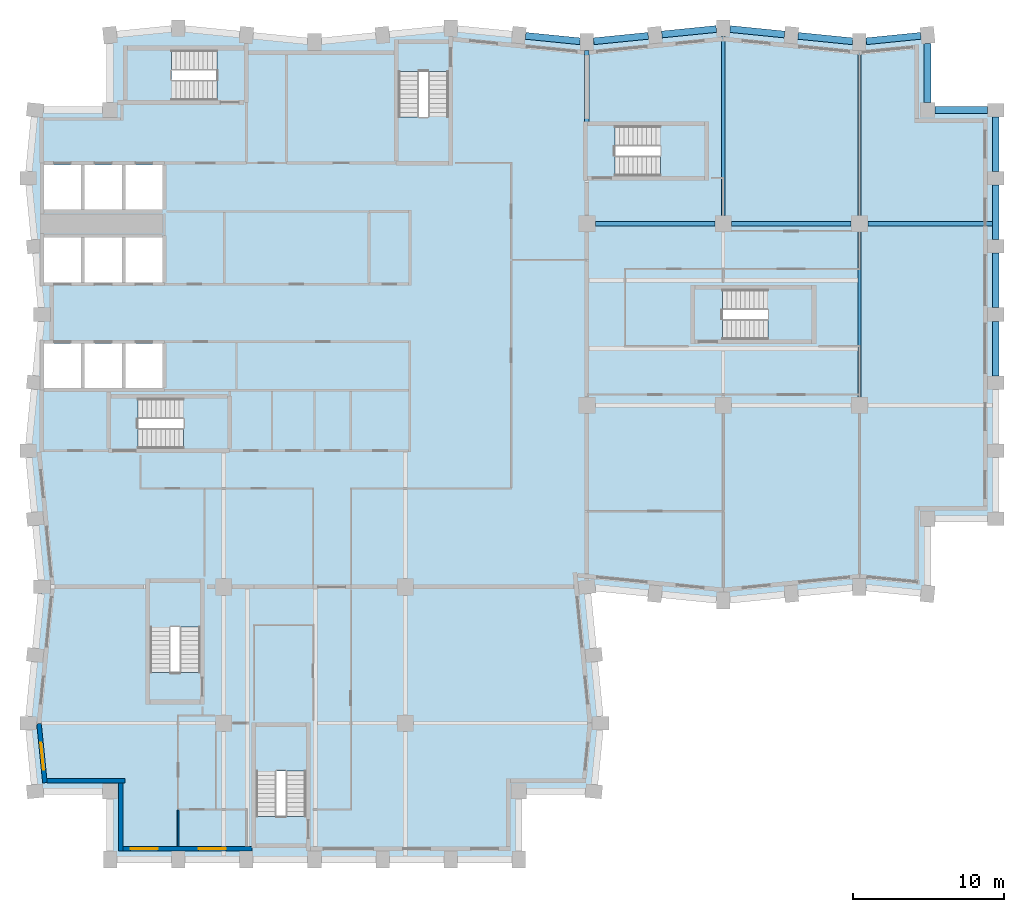
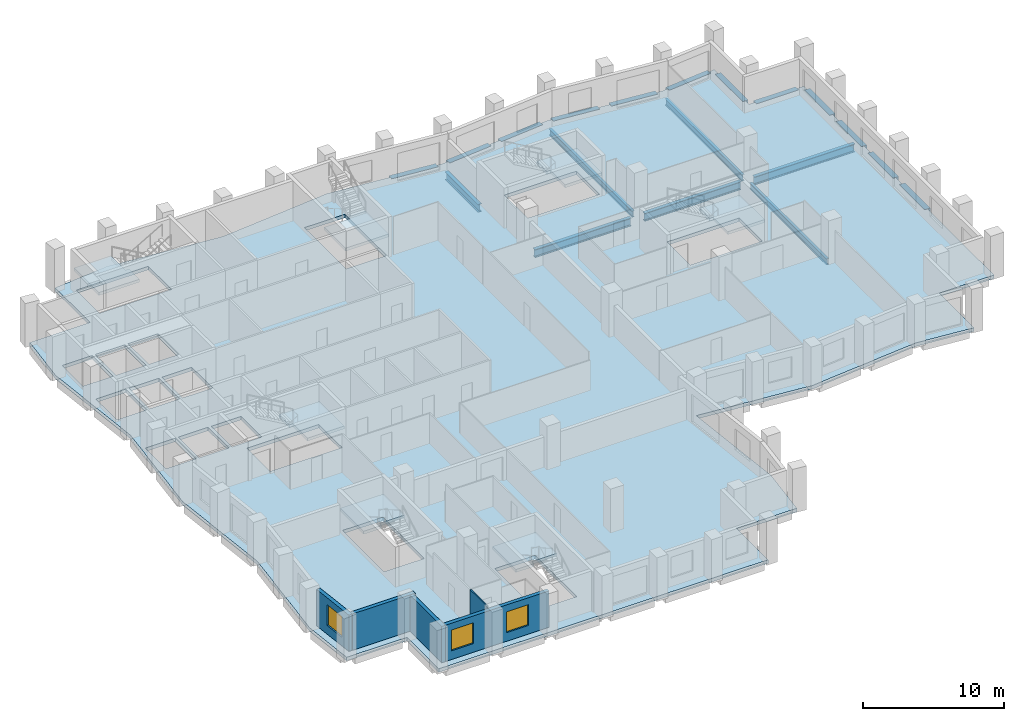
# One storey, part 2 of 10: 19 beams, 8 slabs, 5 walls, 3 windows, 3 openings, 7 elements without a shape of their own.
"""IFC4 building model written with IfcOpenShell, lengths in metres."""

import ifcopenshell
import ifcopenshell.guid

model = None  # the IFC model being written
_history = None  # IfcOwnerHistory: only IFC2X3 demands one
_inside = {}  # id of a spatial element -> (the spatial element, [elements in it])
_under = {}  # id of a project, library or spatial element -> (it, [spatial elements below it])
_declared = {}  # id of a project -> (the project, [libraries it declares])
_typed = {}  # id of a type object -> (the type object, [elements of that type])
_made_of = {}  # id of a material, layer set ... -> (it, [elements and type objects made of it])


def new_model(schema):
    """Start an empty IFC model of exactly this schema.

    Asked for "IFC4X3", IfcOpenShell would pick the latest addendum, in which some entities
    have other attributes; the version numbers below select the first issue.
    IFC2X3 requires an IfcOwnerHistory on every rooted entity: one is made here for all.
    """
    global model, _history
    if schema == "IFC4X3":
        model = ifcopenshell.file(schema_version=(4, 3, 0, 0))
    else:
        model = ifcopenshell.file(schema=schema)
    _inside.clear()
    _under.clear()
    _declared.clear()
    _typed.clear()
    _made_of.clear()
    _history = None
    if model.schema == "IFC2X3":
        org = make("IfcOrganization", Name="unknown")
        user = make(
            "IfcPersonAndOrganization",
            ThePerson=make("IfcPerson", FamilyName="unknown"),
            TheOrganization=org,
        )
        app = make(
            "IfcApplication",
            ApplicationDeveloper=org,
            Version="unknown",
            ApplicationFullName="unknown",
            ApplicationIdentifier="unknown",
        )
        _history = make(
            "IfcOwnerHistory",
            OwningUser=user,
            OwningApplication=app,
            ChangeAction="ADDED",
            CreationDate=0,
        )
    return model


def make(cls, **values):
    """One entity of the class cls with the attributes given. An attribute that is None is left unset."""
    return model.create_entity(
        cls, **{name: value for name, value in values.items() if value is not None}
    )


def rooted(cls, **values):
    """An entity with a GlobalId (a new one), such as an element, a storey or a relation."""
    return make(cls, GlobalId=ifcopenshell.guid.new(), OwnerHistory=_history, **values)


def si_unit(unit_type, name, prefix=None):
    """IfcSIUnit, for example si_unit("LENGTHUNIT", "METRE", prefix="MILLI")."""
    return make("IfcSIUnit", UnitType=unit_type, Prefix=prefix, Name=name)


def assignment(units):
    """IfcUnitAssignment: the units of a project."""
    return None if units is None else make("IfcUnitAssignment", Units=units)


def point(xyz):
    """IfcCartesianPoint."""
    return None if xyz is None else make("IfcCartesianPoint", Coordinates=xyz)


def direction(xyz):
    """IfcDirection."""
    return None if xyz is None else make("IfcDirection", DirectionRatios=xyz)


def frame(location, z_axis=None, x_axis=None):
    """IfcAxis2Placement3D, a coordinate frame: its origin and axes. An axis left out is left unset."""
    return make(
        "IfcAxis2Placement3D",
        Location=point(location),
        Axis=direction(z_axis),
        RefDirection=direction(x_axis),
    )


def frame_2d(location, x_axis=None):
    """IfcAxis2Placement2D, a coordinate frame in the plane: its origin and x axis."""
    return make(
        "IfcAxis2Placement2D", Location=point(location), RefDirection=direction(x_axis)
    )


def origin():
    """The frame at (0, 0, 0) with its axes left unset."""
    return frame((0.0, 0.0, 0.0))


def origin_2d():
    """The frame at (0, 0) in the plane with its x axis left unset."""
    return frame_2d((0.0, 0.0))


def place(relative_to, where):
    """IfcLocalPlacement: puts the frame where relative to a parent placement (None: the world)."""
    return make(
        "IfcLocalPlacement", PlacementRelTo=relative_to, RelativePlacement=where
    )


def context(
    kind, dimensions, precision=None, world=None, true_north=None, identifier=None
):
    """IfcGeometricRepresentationContext, for example the 3D "Model" context."""
    return make(
        "IfcGeometricRepresentationContext",
        ContextIdentifier=identifier,
        ContextType=kind,
        CoordinateSpaceDimension=dimensions,
        Precision=precision,
        WorldCoordinateSystem=world,
        TrueNorth=true_north,
    )


def subcontext(parent, identifier, kind, view, scale=None):
    """IfcGeometricRepresentationSubContext, for example "Body" below "Model"."""
    return make(
        "IfcGeometricRepresentationSubContext",
        ContextIdentifier=identifier,
        ContextType=kind,
        ParentContext=parent,
        TargetScale=scale,
        TargetView=view,
    )


def project(units=None, contexts=None):
    """IfcProject with its units and contexts."""
    return rooted(
        "IfcProject",
        Name="project",
        RepresentationContexts=contexts,
        UnitsInContext=assignment(units),
    )


def spatial(cls, under=None, at=None, **own):
    """A site, building, storey or space (cls), placed at a placement, below another one or the project."""
    s = rooted(cls, ObjectPlacement=at, **own)
    if under is not None:
        _under.setdefault(under.id(), (under, []))[1].append(s)
    return s


def polyline(points):
    """IfcPolyline through the points."""
    return make("IfcPolyline", Points=[point(p) for p in points])


def profile(cls, at=None, kind="AREA", **sizes):
    """A parametric profile (cls). Its sizes go by their IFC names, for example OverallWidth=200.0."""
    return make(cls, ProfileType=kind, Position=at, **sizes)


def rectangle(**sizes):
    """IfcRectangleProfileDef."""
    return profile("IfcRectangleProfileDef", **sizes)


def i_section(**sizes):
    """IfcIShapeProfileDef."""
    return profile("IfcIShapeProfileDef", **sizes)


def outline(outer, holes=None, kind="AREA"):
    """IfcArbitraryClosedProfileDef: a profile drawn as a closed curve; with holes, ...WithVoids."""
    if holes is None:
        return make("IfcArbitraryClosedProfileDef", ProfileType=kind, OuterCurve=outer)
    return make(
        "IfcArbitraryProfileDefWithVoids",
        ProfileType=kind,
        OuterCurve=outer,
        InnerCurves=holes,
    )


def extrude(swept, where, along, depth):
    """IfcExtrudedAreaSolid: the profile swept, set in the frame where, extruded along a direction by depth."""
    return make(
        "IfcExtrudedAreaSolid",
        SweptArea=swept,
        Position=where,
        ExtrudedDirection=direction(along),
        Depth=depth,
    )


def shape(context_of_items, identifier, shape_type, items):
    """IfcShapeRepresentation: the items that make up one representation, for example the "Body"."""
    return make(
        "IfcShapeRepresentation",
        ContextOfItems=context_of_items,
        RepresentationIdentifier=identifier,
        RepresentationType=shape_type,
        Items=items,
    )


def material(Name=None, Category=None):
    """IfcMaterial."""
    return make("IfcMaterial", Name=Name, Category=Category)


def layer(
    of_material, thickness, ventilated=None, Name=None, Category=None, Priority=None
):
    """IfcMaterialLayer: one layer of a wall or slab, of a material (None: an air gap)."""
    return make(
        "IfcMaterialLayer",
        Material=of_material,
        LayerThickness=thickness,
        IsVentilated=ventilated,
        Name=Name,
        Category=Category,
        Priority=Priority,
    )


def layer_set(layers, Name=None):
    """IfcMaterialLayerSet."""
    return make("IfcMaterialLayerSet", MaterialLayers=layers, LayerSetName=Name)


def material_profile(
    of_material, cross_section, Name=None, Category=None, Priority=None
):
    """IfcMaterialProfile: a cross section and its material."""
    return make(
        "IfcMaterialProfile",
        Name=Name,
        Material=of_material,
        Profile=cross_section,
        Priority=Priority,
        Category=Category,
    )


def profile_set(profiles, Name=None, composite=None):
    """IfcMaterialProfileSet."""
    return make(
        "IfcMaterialProfileSet",
        Name=Name,
        MaterialProfiles=profiles,
        CompositeProfile=composite,
    )


def made_of(thing, what):
    """Note that an element or type object is made of a material, layer set ...; save() writes the relation."""
    if what is not None:
        _made_of.setdefault(what.id(), (what, []))[1].append(thing)
    return thing


def type_object(cls, material=None, **own):
    """A type object (cls), such as IfcWallType, which elements share."""
    return made_of(rooted(cls, **own), material)


def element(
    cls,
    number,
    at=None,
    inside=None,
    cuts=None,
    type_object=None,
    material=None,
    context=None,
    identifier="Body",
    shape_type=None,
    held_by="IfcProductDefinitionShape",
    body=None,
    shapes=None,
    **own,
):
    """One element of the class cls, such as IfcWall. Its Tag is "e" and its number.

    at: its placement. inside: the storey or other place that contains it. cuts: it is an
    opening in that element (IfcRelVoidsElement). A single representation is given by context,
    identifier, shape_type and body (its items); several are given by shapes. held_by: the class
    of the entity that holds the representations. save() writes the other relations.
    """
    e = rooted(cls, Tag="e%d" % number, ObjectPlacement=at, **own)
    if body is not None:
        shapes = [shape(context, identifier, shape_type, body)]
    if shapes is not None:
        e.Representation = make(held_by, Representations=shapes)
    if inside is not None:
        _inside.setdefault(inside.id(), (inside, []))[1].append(e)
    if cuts is not None:
        rooted(
            "IfcRelVoidsElement", RelatingBuildingElement=cuts, RelatedOpeningElement=e
        )
    if type_object is not None:
        _typed.setdefault(type_object.id(), (type_object, []))[1].append(e)
    return made_of(e, material)


def fill(opening, filler):
    """IfcRelFillsElement: the door or window that sits in an opening."""
    return rooted(
        "IfcRelFillsElement",
        RelatingOpeningElement=opening,
        RelatedBuildingElement=filler,
    )


def aggregate(whole, parts):
    """IfcRelAggregates: a whole, such as a stair, and the parts it consists of."""
    return rooted("IfcRelAggregates", RelatingObject=whole, RelatedObjects=parts)


def save(model, path):
    """Write the relations noted so far, then the file.

    IfcRelAggregates (storeys below a building ...), IfcRelContainedInSpatialStructure (elements
    in a storey), IfcRelDefinesByType, IfcRelAssociatesMaterial and IfcRelDeclares: one each for
    every whole, place, type object, material and project.
    """
    for whole, parts in _under.values():
        aggregate(whole, parts)
    for where, things in _inside.values():
        rooted(
            "IfcRelContainedInSpatialStructure",
            RelatedElements=things,
            RelatingStructure=where,
        )
    for kind, things in _typed.values():
        rooted("IfcRelDefinesByType", RelatedObjects=things, RelatingType=kind)
    for what, things in _made_of.values():
        rooted("IfcRelAssociatesMaterial", RelatedObjects=things, RelatingMaterial=what)
    for by, libraries in _declared.values():
        rooted("IfcRelDeclares", RelatingContext=by, RelatedDefinitions=libraries)
    model.write(path)


model = new_model("IFC4")

# Units and contexts
model_context = context("Model", 3, precision=1e-05, world=origin(), true_north=direction((0.0, 1.0)))
body_context = subcontext(model_context, "Body", "Model", "MODEL_VIEW")
ifc_project = project(units=[si_unit("LENGTHUNIT", "METRE"), si_unit("AREAUNIT", "SQUARE_METRE"), si_unit("VOLUMEUNIT", "CUBIC_METRE"), si_unit("PLANEANGLEUNIT", "RADIAN"), si_unit("MASSUNIT", "GRAM", prefix="KILO")], contexts=[model_context])

# Site, building, storey
site_placement = place(None, origin())
site = spatial("IfcSite", under=ifc_project, at=site_placement, CompositionType="ELEMENT")
building_placement = place(site_placement, origin())
building = spatial("IfcBuilding", under=site, at=building_placement, Name="Brondeck Convention Tower", CompositionType="ELEMENT")
storey_placement = place(building_placement, frame((0.0, 0.0, 185.199951171875)))
storey = spatial("IfcBuildingStorey", under=building, at=storey_placement, Name="L45", CompositionType="ELEMENT", Elevation=185.199951171875)

# Beams
ifc_material_1 = material(Name="Steel S355", Category="steel")
ifc_material_profile_1 = material_profile(ifc_material_1, i_section(OverallWidth=0.2099609375, OverallDepth=0.550048828125, WebThickness=0.010986328125, FlangeThickness=0.01708984375, FilletRadius=0.02392578125, at=origin_2d()), Name="IPE 550")
ifc_profile_set_1 = profile_set([ifc_material_profile_1], Name="Steel S355")
beam_type_1 = type_object("IfcBeamType", Name="Floor beam IPE 550", PredefinedType="BEAM", material=ifc_profile_set_1)
beam_1_placement = place(storey_placement, frame((45.0, 51.550048828125, -0.574951171875), z_axis=(0.0, 1.0, 0.0), x_axis=(-1.0, 0.0, 0.0)))
element("IfcBeam", 1, at=beam_1_placement, inside=storey, type_object=beam_type_1, Name="STR-FB-L45-002", PredefinedType="BEAM", context=body_context, shape_type="SweptSolid", body=[
    extrude(i_section(OverallWidth=0.2099609375, OverallDepth=0.550048828125, WebThickness=0.010986328125, FlangeThickness=0.01708984375, FilletRadius=0.02392578125, at=origin_2d()), origin(), (0.0, 0.0, 1.0), 11.800048828125),
])
for number, where, z_axis, x_axis, name in (
    (2, (54.0, 39.550048828125, -0.574951171875), (0.0, 1.0, 0.0), (-1.0, 0.0, 0.0), "STR-FB-L45-004"),
    (3, (54.0, 51.550048828125, -0.574951171875), (0.0, 1.0, 0.0), (-1.0, 0.0, 0.0), "STR-FB-L45-005"),
):
    element("IfcBeam", number, at=place(storey_placement, frame(where, z_axis=z_axis, x_axis=x_axis)), inside=storey, type_object=beam_type_1, Name=name, PredefinedType="BEAM", context=body_context, shape_type="SweptSolid", body=[
        extrude(i_section(OverallWidth=0.2099609375, OverallDepth=0.550048828125, WebThickness=0.010986328125, FlangeThickness=0.01708984375, FilletRadius=0.02392578125, at=origin_2d()), origin(), (0.0, 0.0, 1.0), 10.89990234375),
    ])
ifc_material_profile_2 = material_profile(ifc_material_1, i_section(OverallWidth=0.300048828125, OverallDepth=0.699951171875, WebThickness=0.01708984375, FlangeThickness=0.031982421875, FilletRadius=0.027099609375, at=origin_2d()), Name="HEB 700")
ifc_profile_set_2 = profile_set([ifc_material_profile_2], Name="Steel S355")
beam_type_2 = type_object("IfcBeamType", Name="Girder HEB 700", PredefinedType="BEAM", material=ifc_profile_set_2)
for number, where, z_axis, x_axis, name in (
    (4, (36.550048828125, 51.0, -0.64990234375), (1.0, 0.0, 0.0), (0.0, 1.0, 0.0), "STR-GR-L45-004"),
    (5, (45.550048828125, 51.0, -0.64990234375), (1.0, 0.0, 0.0), (0.0, 1.0, 0.0), "STR-GR-L45-005"),
):
    element("IfcBeam", number, at=place(storey_placement, frame(where, z_axis=z_axis, x_axis=x_axis)), inside=storey, type_object=beam_type_2, Name=name, PredefinedType="BEAM", context=body_context, shape_type="SweptSolid", body=[
        extrude(i_section(OverallWidth=0.300048828125, OverallDepth=0.699951171875, WebThickness=0.01708984375, FlangeThickness=0.031982421875, FilletRadius=0.027099609375, at=origin_2d()), origin(), (0.0, 0.0, 1.0), 7.89990234375),
    ])
beam_2_placement = place(storey_placement, frame((54.550048828125, 51.0, -0.64990234375), z_axis=(1.0, 0.0, 0.0), x_axis=(0.0, 1.0, 0.0)))
element("IfcBeam", 6, at=beam_2_placement, inside=storey, type_object=beam_type_2, Name="STR-GR-L45-006", PredefinedType="BEAM", context=body_context, shape_type="SweptSolid", body=[
    extrude(i_section(OverallWidth=0.300048828125, OverallDepth=0.699951171875, WebThickness=0.01708984375, FlangeThickness=0.031982421875, FilletRadius=0.027099609375, at=origin_2d()), origin(), (0.0, 0.0, 1.0), 8.224853515625),
])
beam_3_placement = place(storey_placement, frame((36.0, 57.719970703125, -0.64990234375), z_axis=(0.0, 1.0, 0.0), x_axis=(-1.0, 0.0, 0.0)))
element("IfcBeam", 7, at=beam_3_placement, inside=storey, type_object=beam_type_2, Name="STR-GR-L45-010", PredefinedType="BEAM", context=body_context, shape_type="SweptSolid", body=[
    extrude(i_section(OverallWidth=0.300048828125, OverallDepth=0.699951171875, WebThickness=0.01708984375, FlangeThickness=0.031982421875, FilletRadius=0.027099609375, at=origin_2d()), origin(), (0.0, 0.0, 1.0), 4.72998046875),
])
ifc_material_2 = material(Name="Concrete C70/85", Category="concrete")
ifc_material_profile_3 = material_profile(ifc_material_2, rectangle(XDim=0.449951171875, YDim=0.64990234375, at=origin_2d()), Name="Precast spandrel 450x650 Concrete C70/85")
ifc_profile_set_3 = profile_set([ifc_material_profile_3], Name="Concrete C70/85")
beam_type_3 = type_object("IfcBeamType", Name="Precast spandrel 450x650 Concrete C70/85", PredefinedType="SPANDREL", material=ifc_profile_set_3)
for number, where, z_axis, x_axis, name in (
    (8, (63.0, 40.949951171875, -0.324951171875), (0.0, 1.0, 0.0), (-1.0, 0.0, 0.0), "STR-SP-L45-021"),
    (9, (63.0, 45.449951171875, -0.324951171875), (0.0, 1.0, 0.0), (-1.0, 0.0, 0.0), "STR-SP-L45-022"),
    (10, (63.0, 49.949951171875, -0.324951171875), (0.0, 1.0, 0.0), (-1.0, 0.0, 0.0), "STR-SP-L45-023"),
    (11, (63.0, 54.449951171875, -0.324951171875), (0.0, 1.0, 0.0), (-1.0, 0.0, 0.0), "STR-SP-L45-024"),
):
    element("IfcBeam", number, at=place(storey_placement, frame(where, z_axis=z_axis, x_axis=x_axis)), inside=storey, type_object=beam_type_3, Name=name, PredefinedType="SPANDREL", context=body_context, shape_type="SweptSolid", body=[
        extrude(rectangle(XDim=0.449951171875, YDim=0.64990234375, at=origin_2d()), origin(), (0.0, 0.0, 1.0), 3.60009765625),
    ])
beam_4_placement = place(storey_placement, frame((62.449951171875, 58.5, -0.324951171875), z_axis=(-1.0, 0.0, 0.0), x_axis=(0.0, -1.0, 0.0)))
element("IfcBeam", 12, at=beam_4_placement, inside=storey, type_object=beam_type_3, Name="STR-SP-L45-025", PredefinedType="SPANDREL", context=body_context, shape_type="SweptSolid", body=[
    extrude(rectangle(XDim=0.449951171875, YDim=0.64990234375, at=origin_2d()), origin(), (0.0, 0.0, 1.0), 3.449951171875),
])
beam_5_placement = place(storey_placement, frame((58.5, 59.0, -0.324951171875), z_axis=(0.0, 1.0, 0.0), x_axis=(-1.0, 0.0, 0.0)))
element("IfcBeam", 13, at=beam_5_placement, inside=storey, type_object=beam_type_3, Name="STR-SP-L45-026", PredefinedType="SPANDREL", context=body_context, shape_type="SweptSolid", body=[
    extrude(rectangle(XDim=0.449951171875, YDim=0.64990234375, at=origin_2d()), origin(), (0.0, 0.0, 1.0), 3.897216796875),
])
for number, where, z_axis, x_axis, name in (
    (14, (58.05224609375, 63.4052734375, -0.324951171875), (-0.995033851182, -0.099537103649, 0.0), (0.099537103649, -0.995033851182, 0.0), "STR-SP-L45-027"),
    (15, (53.550048828125, 63.044921875, -0.324951171875), (-0.995033851182, 0.099537103649, 0.0), (-0.099537103649, -0.995033851182, 0.0), "STR-SP-L45-028"),
    (16, (49.05224609375, 63.494873046875, -0.324951171875), (-0.995040528141, 0.099470334057, 0.0), (-0.099470334057, -0.995040528141, 0.0), "STR-SP-L45-029"),
    (17, (44.550048828125, 63.85498046875, -0.324951171875), (-0.995040528141, -0.099470334057, 0.0), (0.099470334057, -0.995040528141, 0.0), "STR-SP-L45-030"),
    (18, (40.05224609375, 63.4052734375, -0.324951171875), (-0.995033851182, -0.099537103649, 0.0), (0.099537103649, -0.995033851182, 0.0), "STR-SP-L45-031"),
    (19, (35.550048828125, 63.044921875, -0.324951171875), (-0.995033851182, 0.099537103649, 0.0), (-0.099537103649, -0.995033851182, 0.0), "STR-SP-L45-032"),
):
    element("IfcBeam", number, at=place(storey_placement, frame(where, z_axis=z_axis, x_axis=x_axis)), inside=storey, type_object=beam_type_3, Name=name, PredefinedType="SPANDREL", context=body_context, shape_type="SweptSolid", body=[
        extrude(rectangle(XDim=0.449951171875, YDim=0.64990234375, at=origin_2d()), origin(), (0.0, 0.0, 1.0), 3.620361328125),
    ])

# Slab
ifc_material_3 = material(Name="Concrete C35/45", Category="concrete")
ifc_layer_1 = layer(ifc_material_3, 0.300048828125)
ifc_layer_set_1 = layer_set([ifc_layer_1], Name="Composite floor slab 300")
slab_type_1 = type_object("IfcSlabType", Name="Composite floor slab 300", PredefinedType="FLOOR", material=ifc_layer_set_1)
slab_1_placement = place(storey_placement, frame((0.0, 0.0, -0.300048828125)))
element("IfcSlab", 20, at=slab_1_placement, inside=storey, type_object=slab_type_1, Name="STR-SL-L45", PredefinedType="FLOOR", context=body_context, shape_type="SweptSolid", body=[
    extrude(outline(polyline([(4.5, 13.5), (-0.449951171875, 13.5), (-0.89990234375, 18.0), (0.0, 27.0), (-0.89990234375, 36.0), (0.0, 45.0), (-0.89990234375, 54.0), (-0.449951171875, 58.5), (4.5, 58.5), (4.5, 63.449951171875), (9.0, 63.89990234375), (18.0, 63.0), (27.0, 63.89990234375), (36.0, 63.0), (45.0, 63.89990234375), (54.0, 63.0), (58.5, 63.449951171875), (58.5, 58.5), (63.0, 58.5), (63.0, 31.5), (58.5, 31.5), (58.5, 26.550048828125), (54.0, 27.0), (45.0, 26.10009765625), (36.0, 27.0), (36.89990234375, 18.0), (36.449951171875, 13.5), (31.5, 13.5), (31.5, 9.0), (4.5, 9.0), (4.5, 13.5)]), holes=[polyline([(2.574951171875, 40.125), (2.574951171875, 43.074951171875), (0.125, 43.074951171875), (0.125, 40.125), (2.574951171875, 40.125)]), polyline([(5.27490234375, 40.125), (5.27490234375, 43.074951171875), (2.824951171875, 43.074951171875), (2.824951171875, 40.125), (5.27490234375, 40.125)]), polyline([(7.97509765625, 40.125), (7.97509765625, 43.074951171875), (5.52490234375, 43.074951171875), (5.52490234375, 40.125), (7.97509765625, 40.125)]), polyline([(2.574951171875, 47.125), (2.574951171875, 50.074951171875), (0.125, 50.074951171875), (0.125, 47.125), (2.574951171875, 47.125)]), polyline([(5.27490234375, 47.125), (5.27490234375, 50.074951171875), (2.824951171875, 50.074951171875), (2.824951171875, 47.125), (5.27490234375, 47.125)]), polyline([(7.97509765625, 47.125), (7.97509765625, 50.074951171875), (5.52490234375, 50.074951171875), (5.52490234375, 47.125), (7.97509765625, 47.125)]), polyline([(2.574951171875, 51.925048828125), (2.574951171875, 54.875), (0.125, 54.875), (0.125, 51.925048828125), (2.574951171875, 51.925048828125)]), polyline([(5.27490234375, 51.925048828125), (5.27490234375, 54.875), (2.824951171875, 54.875), (2.824951171875, 51.925048828125), (5.27490234375, 51.925048828125)]), polyline([(17.447998046875, 17.748046875), (14.152099609375, 17.748046875), (14.152099609375, 11.85205078125), (17.447998046875, 11.85205078125), (17.447998046875, 17.748046875)]), polyline([(10.447998046875, 27.248046875), (7.152099609375, 27.248046875), (7.152099609375, 21.35205078125), (10.447998046875, 21.35205078125), (10.447998046875, 27.248046875)]), polyline([(12.248046875, 36.152099609375), (12.248046875, 39.447998046875), (6.35205078125, 39.447998046875), (6.35205078125, 36.152099609375), (12.248046875, 36.152099609375)]), polyline([(50.847900390625, 43.35205078125), (50.847900390625, 46.64794921875), (44.951904296875, 46.64794921875), (44.951904296875, 43.35205078125), (50.847900390625, 43.35205078125)]), polyline([(7.97509765625, 51.925048828125), (7.97509765625, 54.875), (5.52490234375, 54.875), (5.52490234375, 51.925048828125), (7.97509765625, 51.925048828125)]), polyline([(43.748046875, 54.152099609375), (43.748046875, 57.447998046875), (37.85205078125, 57.447998046875), (37.85205078125, 54.152099609375), (43.748046875, 54.152099609375)]), polyline([(23.552001953125, 55.152099609375), (26.847900390625, 55.152099609375), (26.847900390625, 61.048095703125), (23.552001953125, 61.048095703125), (23.552001953125, 55.152099609375)]), polyline([(5.652099609375, 62.447998046875), (5.652099609375, 59.152099609375), (11.548095703125, 59.152099609375), (11.548095703125, 62.447998046875), (5.652099609375, 62.447998046875)])]), origin(), (0.0, 0.0, 1.0), 0.300048828125),
])

# Stair, slab
ifc_material_4 = material(Name="Precast concrete C50/60", Category="concrete")
stair_type = type_object("IfcStairType", Name="Core stair 22 risers 172.73 mm riser 300 mm going 1350 wide", PredefinedType="HALF_TURN_STAIR", material=ifc_material_4)
stair_1_placement = place(storey_placement, origin())
stair_1 = element("IfcStair", 21, at=stair_1_placement, inside=storey, type_object=stair_type, Name="ST-1 L45 stair", PredefinedType="HALF_TURN_STAIR")
ifc_layer_2 = layer(ifc_material_4, 0.25)
ifc_layer_set_2 = layer_set([ifc_layer_2], Name="Core stair landing 250 Precast concrete C50/60")
slab_type_2 = type_object("IfcSlabType", Name="Core stair landing 250 Precast concrete C50/60", PredefinedType="LANDING", material=ifc_layer_set_2)
slab_2_placement = place(storey_placement, frame((0.0, 0.0, 1.650146484375)))
slab_2 = element("IfcSlab", 22, at=slab_2_placement, type_object=slab_type_2, Name="ST-1 landing 1", PredefinedType="LANDING", context=body_context, shape_type="SweptSolid", body=[
    extrude(outline(polyline([(9.347900390625, 37.5), (9.35009765625, 37.5), (9.35009765625, 38.10009765625), (9.050048828125, 38.10009765625), (9.050048828125, 39.570068359375), (12.3701171875, 39.570068359375), (12.3701171875, 36.030029296875), (9.347900390625, 36.030029296875), (9.347900390625, 37.5)])), origin(), (0.0, 0.0, 1.0), 0.25),
])
aggregate(stair_1, [slab_2])

stair_2_placement = place(storey_placement, origin())
stair_2 = element("IfcStair", 23, at=stair_2_placement, inside=storey, type_object=stair_type, Name="ST-2 L45 stair", PredefinedType="HALF_TURN_STAIR")
slab_3_placement = place(storey_placement, frame((0.0, 0.0, 1.650146484375)))
slab_3 = element("IfcSlab", 24, at=slab_3_placement, type_object=slab_type_2, Name="ST-2 landing 1", PredefinedType="LANDING", context=body_context, shape_type="SweptSolid", body=[
    extrude(outline(polyline([(23.429931640625, 58.052001953125), (24.89990234375, 58.052001953125), (24.89990234375, 58.050048828125), (25.5, 58.050048828125), (25.5, 58.35009765625), (26.969970703125, 58.35009765625), (26.969970703125, 55.030029296875), (23.429931640625, 55.030029296875), (23.429931640625, 58.052001953125)])), origin(), (0.0, 0.0, 1.0), 0.25),
])
aggregate(stair_2, [slab_3])

stair_3_placement = place(storey_placement, origin())
stair_3 = element("IfcStair", 25, at=stair_3_placement, inside=storey, type_object=stair_type, Name="ST-3 L45 stair", PredefinedType="HALF_TURN_STAIR")
slab_4_placement = place(storey_placement, frame((0.0, 0.0, 1.650146484375)))
slab_4 = element("IfcSlab", 26, at=slab_4_placement, type_object=slab_type_2, Name="ST-3 landing 1", PredefinedType="LANDING", context=body_context, shape_type="SweptSolid", body=[
    extrude(outline(polyline([(8.85009765625, 60.5), (8.85009765625, 59.030029296875), (5.530029296875, 59.030029296875), (5.530029296875, 62.570068359375), (8.552001953125, 62.570068359375), (8.552001953125, 61.10009765625), (8.550048828125, 61.10009765625), (8.550048828125, 60.5), (8.85009765625, 60.5)])), origin(), (0.0, 0.0, 1.0), 0.25),
])
aggregate(stair_3, [slab_4])

stair_4_placement = place(storey_placement, origin())
stair_4 = element("IfcStair", 27, at=stair_4_placement, inside=storey, type_object=stair_type, Name="ST-AE L45 stair", PredefinedType="HALF_TURN_STAIR")
slab_5_placement = place(storey_placement, frame((0.0, 0.0, 1.650146484375)))
slab_5 = element("IfcSlab", 28, at=slab_5_placement, type_object=slab_type_2, Name="ST-AE landing 1", PredefinedType="LANDING", context=body_context, shape_type="SweptSolid", body=[
    extrude(outline(polyline([(40.847900390625, 55.5), (40.85009765625, 55.5), (40.85009765625, 56.10009765625), (40.550048828125, 56.10009765625), (40.550048828125, 57.570068359375), (43.8701171875, 57.570068359375), (43.8701171875, 54.030029296875), (40.847900390625, 54.030029296875), (40.847900390625, 55.5)])), origin(), (0.0, 0.0, 1.0), 0.25),
])
aggregate(stair_4, [slab_5])

stair_5_placement = place(storey_placement, origin())
stair_5 = element("IfcStair", 29, at=stair_5_placement, inside=storey, type_object=stair_type, Name="ST-BE L45 stair", PredefinedType="HALF_TURN_STAIR")
slab_6_placement = place(storey_placement, frame((0.0, 0.0, 1.650146484375)))
slab_6 = element("IfcSlab", 30, at=slab_6_placement, type_object=slab_type_2, Name="ST-BE landing 1", PredefinedType="LANDING", context=body_context, shape_type="SweptSolid", body=[
    extrude(outline(polyline([(7.030029296875, 24.050048828125), (7.030029296875, 27.3701171875), (10.570068359375, 27.3701171875), (10.570068359375, 24.347900390625), (9.10009765625, 24.347900390625), (9.10009765625, 24.35009765625), (8.5, 24.35009765625), (8.5, 24.050048828125), (7.030029296875, 24.050048828125)])), origin(), (0.0, 0.0, 1.0), 0.25),
])
aggregate(stair_5, [slab_6])

stair_6_placement = place(storey_placement, origin())
stair_6 = element("IfcStair", 31, at=stair_6_placement, inside=storey, type_object=stair_type, Name="ST-AF L45 stair", PredefinedType="HALF_TURN_STAIR")
slab_7_placement = place(storey_placement, frame((0.0, 0.0, 1.650146484375)))
slab_7 = element("IfcSlab", 32, at=slab_7_placement, type_object=slab_type_2, Name="ST-AF landing 1", PredefinedType="LANDING", context=body_context, shape_type="SweptSolid", body=[
    extrude(outline(polyline([(47.947998046875, 44.699951171875), (47.949951171875, 44.699951171875), (47.949951171875, 45.300048828125), (47.64990234375, 45.300048828125), (47.64990234375, 46.77001953125), (50.969970703125, 46.77001953125), (50.969970703125, 43.22998046875), (47.947998046875, 43.22998046875), (47.947998046875, 44.699951171875)])), origin(), (0.0, 0.0, 1.0), 0.25),
])
aggregate(stair_6, [slab_7])

stair_7_placement = place(storey_placement, origin())
stair_7 = element("IfcStair", 33, at=stair_7_placement, inside=storey, type_object=stair_type, Name="ST-BF L45 stair", PredefinedType="HALF_TURN_STAIR")
slab_8_placement = place(storey_placement, frame((0.0, 0.0, 1.650146484375)))
slab_8 = element("IfcSlab", 34, at=slab_8_placement, type_object=slab_type_2, Name="ST-BF landing 1", PredefinedType="LANDING", context=body_context, shape_type="SweptSolid", body=[
    extrude(outline(polyline([(14.030029296875, 14.550048828125), (14.030029296875, 17.8701171875), (17.570068359375, 17.8701171875), (17.570068359375, 14.847900390625), (16.10009765625, 14.847900390625), (16.10009765625, 14.85009765625), (15.5, 14.85009765625), (15.5, 14.550048828125), (14.030029296875, 14.550048828125)])), origin(), (0.0, 0.0, 1.0), 0.25),
])
aggregate(stair_7, [slab_8])

# Wall, openings, windows
ifc_material_5 = material(Name="Precast concrete C50/60 bronze finish", Category="concrete")
ifc_layer_3 = layer(ifc_material_5, 0.070068359375, Name="Bronze precast facing")
ifc_material_6 = material(Name="Mineral wool")
ifc_layer_4 = layer(ifc_material_6, 0.159912109375, Name="Insulation")
ifc_layer_5 = layer(ifc_material_3, 0.070068359375, Name="Backing")
ifc_layer_set_3 = layer_set([ifc_layer_3, ifc_layer_4, ifc_layer_5], Name="External infill wall, precast concrete C50/60 bronze facing")
wall_type_1 = type_object("IfcWallType", Name="External infill wall, precast concrete C50/60 bronze facing", PredefinedType="SOLIDWALL", material=ifc_layer_set_3)
wall_1_placement = place(storey_placement, frame((13.860107421875, 9.699951171875, 0.0), z_axis=(0.0, 0.0, 1.0), x_axis=(-1.0, 0.0, 0.0)))
wall_1 = element("IfcWall", 35, at=wall_1_placement, inside=storey, type_object=wall_type_1, Name="ENV-EW-L45-P1-B-S9-01", PredefinedType="SOLIDWALL", context=body_context, shape_type="SweptSolid", body=[
    extrude(rectangle(XDim=8.510009765625, YDim=0.300048828125, at=frame_2d((4.2548828125, 0.0))), origin(), (0.0, 0.0, 1.0), 3.150146484375),
])
opening_1_placement = place(wall_1_placement, frame((1.7099609375, 0.0, 0.75)))
opening_1 = element("IfcOpeningElement", 36, at=opening_1_placement, cuts=wall_1, Name="Opening W10", PredefinedType="OPENING", context=body_context, shape_type="SweptSolid", body=[
    extrude(rectangle(XDim=1.800048828125, YDim=1.800048828125, at=frame_2d((0.89990234375, 0.89990234375))), frame((0.0, 0.159912109375, 0.0), z_axis=(0.0, -1.0, 0.0), x_axis=(1.0, 0.0, 0.0)), (0.0, 0.0, 1.0), 0.320068359375),
])
opening_2_placement = place(wall_1_placement, frame((6.2099609375, 0.0, 0.75)))
opening_2 = element("IfcOpeningElement", 37, at=opening_2_placement, cuts=wall_1, Name="Opening W10", PredefinedType="OPENING", context=body_context, shape_type="SweptSolid", body=[
    extrude(rectangle(XDim=1.800048828125, YDim=1.800048828125, at=frame_2d((0.89990234375, 0.89990234375))), frame((0.0, 0.159912109375, 0.0), z_axis=(0.0, -1.0, 0.0), x_axis=(1.0, 0.0, 0.0)), (0.0, 0.0, 1.0), 0.320068359375),
])
ifc_material_7 = material(Name="Bronze tinted double glazing", Category="glass")
window_type = type_object("IfcWindowType", Name="Punched window, bronze tinted", PartitioningType="SINGLE_PANEL", PredefinedType="WINDOW", material=ifc_material_7)
window_1_placement = place(opening_1_placement, origin())
window_1 = element("IfcWindow", 38, at=window_1_placement, inside=storey, type_object=window_type, Name="ENV-WN-L45-P1-B-S9-02", OverallHeight=1.800048828125, OverallWidth=1.800048828125, PartitioningType="SINGLE_PANEL", PredefinedType="WINDOW", context=body_context, shape_type="SweptSolid", body=[
    extrude(rectangle(XDim=1.800048828125, YDim=1.800048828125, at=frame_2d((0.89990234375, 0.89990234375))), frame((0.0, 0.030029296875, 0.0), z_axis=(0.0, -1.0, 0.0), x_axis=(1.0, 0.0, 0.0)), (0.0, 0.0, 1.0), 0.06005859375),
])
fill(opening_1, window_1)
window_2_placement = place(opening_2_placement, origin())
window_2 = element("IfcWindow", 39, at=window_2_placement, inside=storey, type_object=window_type, Name="ENV-WN-L45-P1-B-S9-01", OverallHeight=1.800048828125, OverallWidth=1.800048828125, PartitioningType="SINGLE_PANEL", PredefinedType="WINDOW", context=body_context, shape_type="SweptSolid", body=[
    extrude(rectangle(XDim=1.800048828125, YDim=1.800048828125, at=frame_2d((0.89990234375, 0.89990234375))), frame((0.0, 0.030029296875, 0.0), z_axis=(0.0, -1.0, 0.0), x_axis=(1.0, 0.0, 0.0)), (0.0, 0.0, 1.0), 0.06005859375),
])
fill(opening_2, window_2)

# Wall, opening, window
wall_2_placement = place(storey_placement, frame((0.197021484375, 14.06494140625, 0.0), z_axis=(0.0, 0.0, 1.0), x_axis=(-0.099528354722, 0.995034726332, 0.0)))
wall_2 = element("IfcWall", 40, at=wall_2_placement, inside=storey, type_object=wall_type_1, Name="ENV-EW-L45-P1-B-W-10", PredefinedType="SOLIDWALL", context=body_context, shape_type="SweptSolid", body=[
    extrude(rectangle(XDim=3.9248046875, YDim=0.300048828125, at=frame_2d((1.96240234375, 0.0))), origin(), (0.0, 0.0, 1.0), 3.150146484375),
])
opening_3_placement = place(wall_2_placement, frame((0.863525390625, 0.0, 0.75)))
opening_3 = element("IfcOpeningElement", 41, at=opening_3_placement, cuts=wall_2, Name="Opening W10", PredefinedType="OPENING", context=body_context, shape_type="SweptSolid", body=[
    extrude(rectangle(XDim=1.800048828125, YDim=1.800048828125, at=frame_2d((0.89990234375, 0.89990234375))), frame((0.0, 0.159912109375, 0.0), z_axis=(0.0, -1.0, 0.0), x_axis=(1.0, 0.0, 0.0)), (0.0, 0.0, 1.0), 0.320068359375),
])
window_3_placement = place(opening_3_placement, origin())
window_3 = element("IfcWindow", 42, at=window_3_placement, inside=storey, type_object=window_type, Name="ENV-WN-L45-P1-B-W-10", OverallHeight=1.800048828125, OverallWidth=1.800048828125, PartitioningType="SINGLE_PANEL", PredefinedType="WINDOW", context=body_context, shape_type="SweptSolid", body=[
    extrude(rectangle(XDim=1.800048828125, YDim=1.800048828125, at=frame_2d((0.89990234375, 0.89990234375))), frame((0.0, 0.030029296875, 0.0), z_axis=(0.0, -1.0, 0.0), x_axis=(1.0, 0.0, 0.0)), (0.0, 0.0, 1.0), 0.06005859375),
])
fill(opening_3, window_3)

# Walls
wall_3_placement = place(storey_placement, frame((5.5, 14.199951171875, 0.0), z_axis=(0.0, 0.0, 1.0), x_axis=(-1.0, 0.0, 0.0)))
element("IfcWall", 43, at=wall_3_placement, inside=storey, type_object=wall_type_1, Name="ENV-EW-L45-P1-NC-SWB9-01", PredefinedType="SOLIDWALL", context=body_context, shape_type="SweptSolid", body=[
    extrude(rectangle(XDim=5.16455078125, YDim=0.300048828125, at=frame_2d((2.582275390625, 0.0))), origin(), (0.0, 0.0, 1.0), 3.150146484375),
])
wall_4_placement = place(storey_placement, frame((5.199951171875, 9.550048828125, 0.0), z_axis=(0.0, 0.0, 1.0), x_axis=(0.0, 1.0, 0.0)))
element("IfcWall", 44, at=wall_4_placement, inside=storey, type_object=wall_type_1, Name="ENV-EW-L45-P1-NC-SWB9-02", PredefinedType="SOLIDWALL", context=body_context, shape_type="SweptSolid", body=[
    extrude(rectangle(XDim=4.501953125, YDim=0.300048828125, at=frame_2d((2.2509765625, 0.0))), origin(), (0.0, 0.0, 1.0), 3.150146484375),
])
ifc_material_8 = material(Name="Gypsum board partition on steel studs", Category="steel")
ifc_layer_6 = layer(ifc_material_8, 0.10009765625)
ifc_layer_set_4 = layer_set([ifc_layer_6], Name="Room partition 100")
wall_type_2 = type_object("IfcWallType", Name="Room partition 100", PredefinedType="PARTITIONING", material=ifc_layer_set_4)
wall_5_placement = place(storey_placement, frame((9.0, 9.8701171875, 0.0), z_axis=(0.0, 0.0, 1.0), x_axis=(0.0, 1.0, 0.0)))
element("IfcWall", 45, at=wall_5_placement, inside=storey, type_object=wall_type_2, Name="FLR-L45-W001", PredefinedType="PARTITIONING", context=body_context, shape_type="SweptSolid", body=[
    extrude(rectangle(XDim=2.3798828125, YDim=0.10009765625, at=frame_2d((1.18994140625, 0.0))), origin(), (0.0, 0.0, 1.0), 3.330078125),
])

save(model, "model.ifc")
